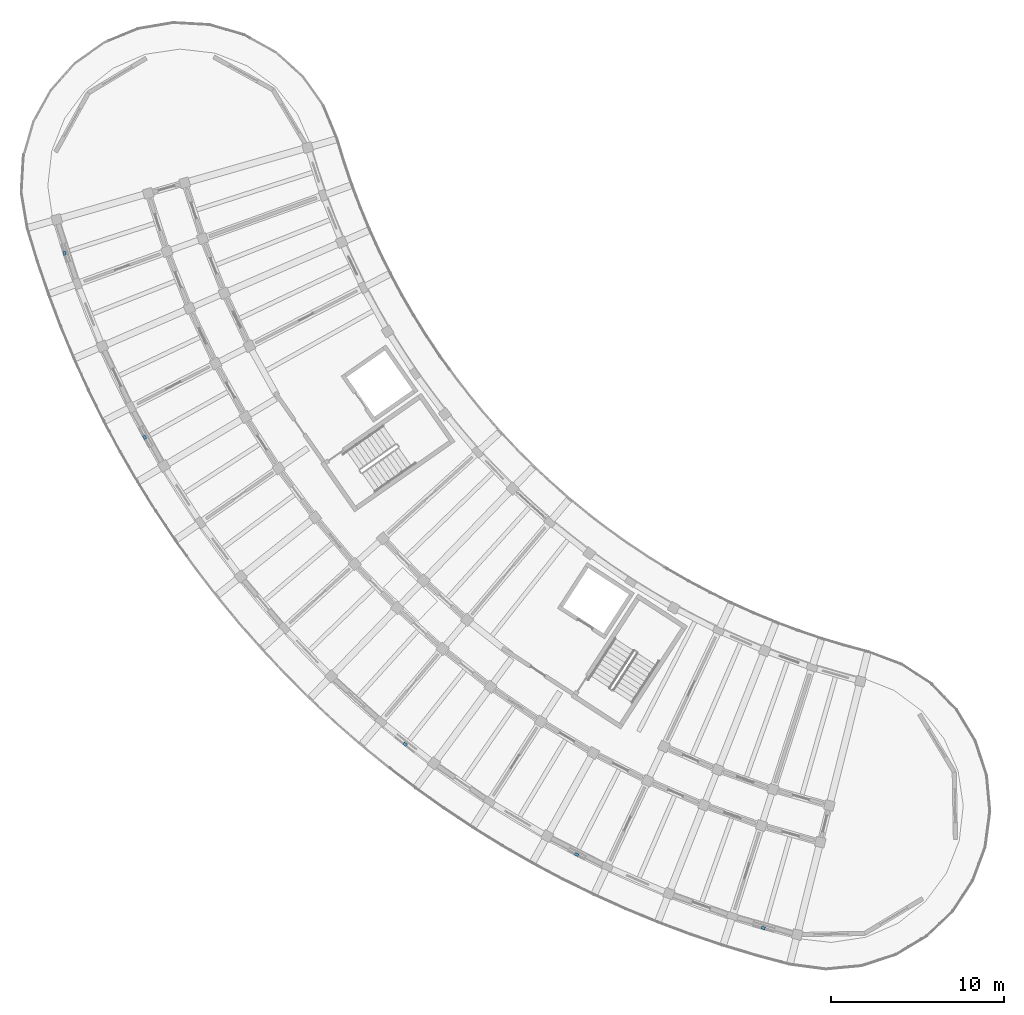
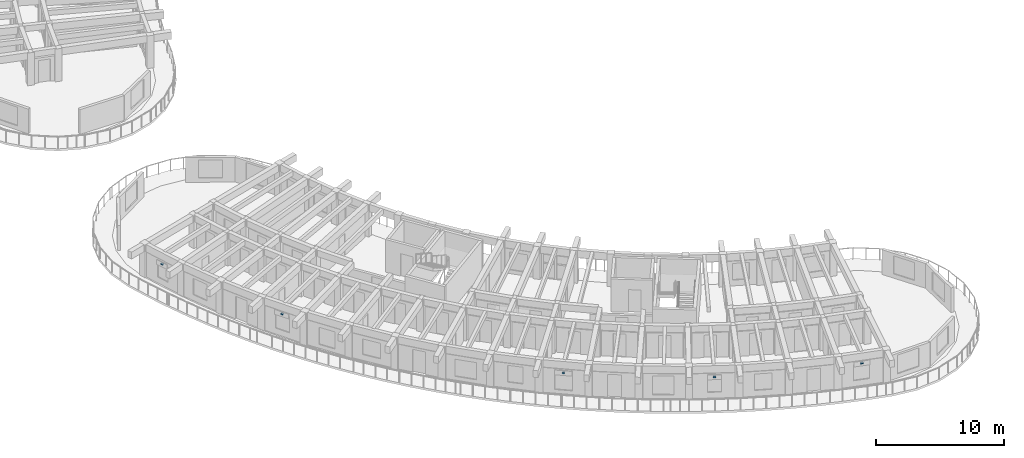
# One storey, part 48 of 69: 5 discrete accessories.
"""IFC4 building model written with IfcOpenShell, lengths in metres."""

from ifc_helpers import new_model, si_unit, direction, frame, origin, origin_2d, place, context, subcontext, project, spatial, rectangle, extrude, material, type_object, element, save


model = new_model("IFC4")

# Units and contexts
model_context = context("Model", 3, precision=1e-05, world=origin(), true_north=direction((0.0, 1.0)))
body_context = subcontext(model_context, "Body", "Model", "MODEL_VIEW")
ifc_project = project(units=[si_unit("LENGTHUNIT", "METRE"), si_unit("AREAUNIT", "SQUARE_METRE"), si_unit("VOLUMEUNIT", "CUBIC_METRE"), si_unit("PLANEANGLEUNIT", "RADIAN"), si_unit("MASSUNIT", "GRAM", prefix="KILO")], contexts=[model_context])

# Site, building, storey
site_placement = place(None, origin())
site = spatial("IfcSite", under=ifc_project, at=site_placement, CompositionType="ELEMENT")
building_placement = place(site_placement, origin())
building = spatial("IfcBuilding", under=site, at=building_placement, Name="Tanwirah Colonnade Gardens", CompositionType="ELEMENT")
storey_placement = place(building_placement, frame((0.0, 0.0, 15.56005859375)))
storey = spatial("IfcBuildingStorey", under=building, at=storey_placement, Name="L04", CompositionType="ELEMENT", Elevation=15.56005859375)

# Discrete accessories
ifc_material = material(Name="Steel S355", Category="steel")
discrete_accessory_type = type_object("IfcDiscreteAccessoryType", Name="BRK-SS1", PredefinedType="BRACKET", material=ifc_material)
for number, where, z_axis, x_axis, name in (
    (1, (8.20458984375, 46.1357421875, 2.0), (0.0, 0.0, 1.0), (0.30694295016, -0.951727915608, 0.0), "Solar screen support bracket C-L04-00"),
    (2, (12.834716796875, 35.48681640625, 2.10986328125), (0.0, 0.0, 1.0), (0.486717384336, -0.873559492985, 0.0), "Solar screen support bracket C-L04-03"),
    (3, (27.908447265625, 17.732666015625, 2.0), (0.0, 0.0, 1.0), (0.783964634348, -0.620805486519, 0.0), "Solar screen support bracket C-L04-09"),
    (4, (37.8251953125, 11.35400390625, 2.0), (0.0, 0.0, 1.0), (0.890014924435, -0.455931392078, 0.0), "Solar screen support bracket C-L04-12"),
    (5, (48.62890625, 7.09814453125, 2.10986328125), (0.0, 0.0, 1.0), (0.961860770803, -0.273539499139, 0.0), "Solar screen support bracket C-L04-15"),
):
    element("IfcDiscreteAccessory", number, at=place(storey_placement, frame(where, z_axis=z_axis, x_axis=x_axis)), inside=storey, type_object=discrete_accessory_type, Name=name, PredefinedType="BRACKET", context=body_context, shape_type="SweptSolid", body=[
        extrude(rectangle(XDim=0.219970703125, YDim=0.159912109375, at=origin_2d()), origin(), (0.0, 0.0, 1.0), 0.1201171875),
    ])

save(model, "model.ifc")
